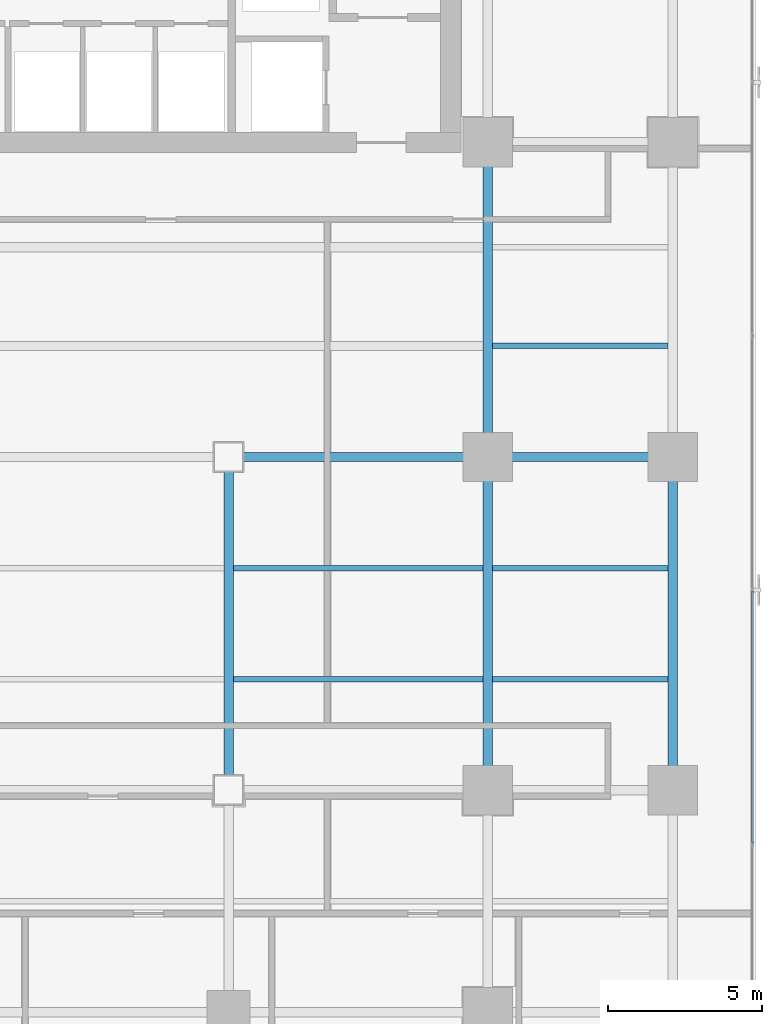
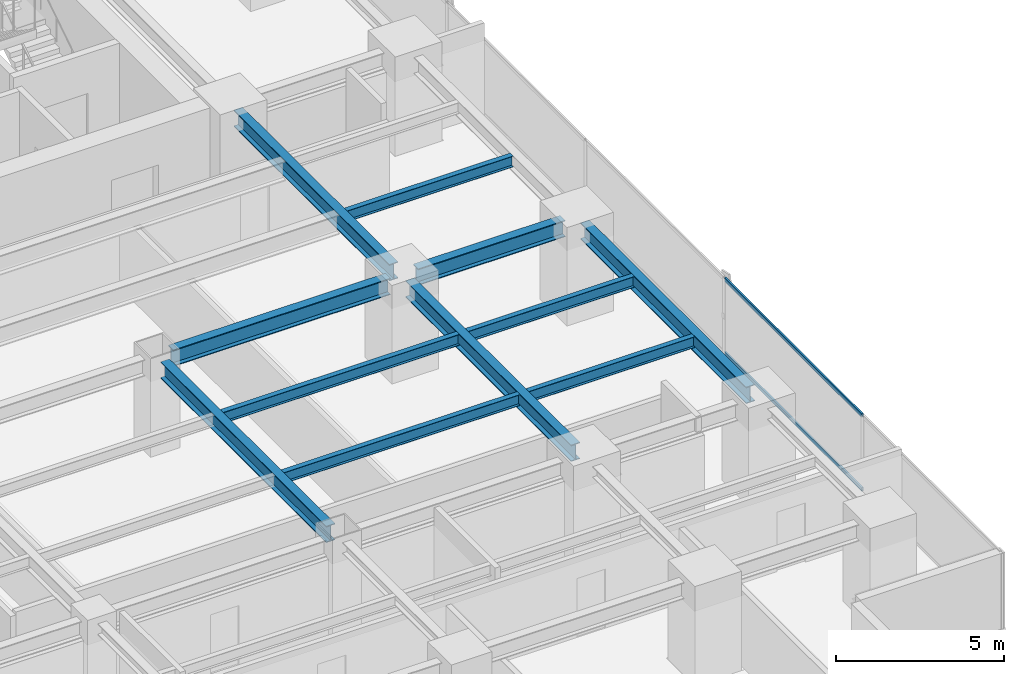
# One storey, part 15 of 37: 11 beams, 2 members, 1 element without a shape of its own.
"""IFC4 building model written with IfcOpenShell, lengths in metres."""

from ifc_helpers import new_model, si_unit, direction, frame, origin, origin_2d, place, context, subcontext, project, spatial, hollow_rectangle, i_section, extrude, source, transform, mapped, material, layer, layer_set, material_profile, profile_set, type_object, element, aggregate, save


model = new_model("IFC4")

# Units and contexts
model_context = context("Model", 3, precision=1e-05, world=origin(), true_north=direction((0.0, 1.0)))
body_context = subcontext(model_context, "Body", "Model", "MODEL_VIEW")
ifc_project = project(units=[si_unit("LENGTHUNIT", "METRE"), si_unit("AREAUNIT", "SQUARE_METRE"), si_unit("VOLUMEUNIT", "CUBIC_METRE"), si_unit("PLANEANGLEUNIT", "RADIAN"), si_unit("MASSUNIT", "GRAM", prefix="KILO")], contexts=[model_context])

# Site, building, storey
site_placement = place(None, origin())
site = spatial("IfcSite", under=ifc_project, at=site_placement, CompositionType="ELEMENT")
building_placement = place(site_placement, origin())
building = spatial("IfcBuilding", under=site, at=building_placement, Name="Sumidabori Civic Tower", CompositionType="ELEMENT")
storey_placement = place(building_placement, frame((0.0, 0.0, 117.199951171875)))
storey = spatial("IfcBuildingStorey", under=building, at=storey_placement, Name="L30", CompositionType="ELEMENT", Elevation=117.199951171875)

# Beams
ifc_material_1 = material(Name="Steel SN490", Category="steel")
ifc_material_profile_1 = material_profile(ifc_material_1, i_section(OverallWidth=0.300048828125, OverallDepth=0.60009765625, WebThickness=0.015380859375, FlangeThickness=0.030029296875, at=origin_2d()), Name="HE 600 B")
ifc_profile_set_1 = profile_set([ifc_material_profile_1], Name="Steel SN490")
beam_type_1 = type_object("IfcBeamType", Name="BM-GIRD-600", PredefinedType="BEAM", material=ifc_profile_set_1)
shared_shape_1 = source(origin(), body_context, "Body", "SweptSolid", [
    extrude(i_section(OverallWidth=0.300048828125, OverallDepth=0.60009765625, WebThickness=0.015380859375, FlangeThickness=0.030029296875, at=origin_2d()), origin(), (0.0, 0.0, 1.0), 5.0400390625),
])
beam_1_placement = place(storey_placement, frame((17.280029296875, 0.0, 3.06005859375), z_axis=(1.0, 0.0, 0.0), x_axis=(0.0, 1.0, 0.0)))
element("IfcBeam", 1, at=beam_1_placement, inside=storey, type_object=beam_type_1, Name="Primary Girder L30 GX-18", PredefinedType="BEAM", context=body_context, shape_type="MappedRepresentation", body=[
    mapped(shared_shape_1, transform((0.0, 0.0, 0.0), x_axis=(1.0, 0.0, 0.0), y_axis=(0.0, 1.0, 0.0), z_axis=(0.0, 0.0, 1.0), scale=1.0)),
])
shared_shape_2 = source(origin(), body_context, "Body", "SweptSolid", [
    extrude(i_section(OverallWidth=0.300048828125, OverallDepth=0.60009765625, WebThickness=0.015380859375, FlangeThickness=0.030029296875, at=origin_2d()), origin(), (0.0, 0.0, 1.0), 7.440185546875),
])
beam_2_placement = place(storey_placement, frame((8.8798828125, 0.0, 3.06005859375), z_axis=(1.0, 0.0, 0.0), x_axis=(0.0, 1.0, 0.0)))
element("IfcBeam", 2, at=beam_2_placement, inside=storey, type_object=beam_type_1, Name="Primary Girder L30 GX-17", PredefinedType="BEAM", context=body_context, shape_type="MappedRepresentation", body=[
    mapped(shared_shape_2, transform((0.0, 0.0, 0.0), x_axis=(1.0, 0.0, 0.0), y_axis=(0.0, 1.0, 0.0), z_axis=(0.0, 0.0, 1.0), scale=1.0)),
])
shared_shape_3 = source(origin(), body_context, "Body", "SweptSolid", [
    extrude(i_section(OverallWidth=0.300048828125, OverallDepth=0.60009765625, WebThickness=0.015380859375, FlangeThickness=0.030029296875, at=origin_2d()), origin(), (0.0, 0.0, 1.0), 9.840087890625),
])
for number, where, z_axis, x_axis, name in (
    (3, (8.39990234375, -10.320068359375, 3.06005859375), (0.0, 1.0, 0.0), (-1.0, 0.0, 0.0), "Primary Girder L30 GY-34"),
    (4, (16.800048828125, -10.320068359375, 3.06005859375), (0.0, 1.0, 0.0), (-1.0, 0.0, 0.0), "Primary Girder L30 GY-36"),
    (5, (22.800048828125, -10.320068359375, 3.06005859375), (0.0, 1.0, 0.0), (-1.0, 0.0, 0.0), "Primary Girder L30 GY-40"),
):
    element("IfcBeam", number, at=place(storey_placement, frame(where, z_axis=z_axis, x_axis=x_axis)), inside=storey, type_object=beam_type_1, Name=name, PredefinedType="BEAM", context=body_context, shape_type="MappedRepresentation", body=[
        mapped(shared_shape_3, transform((0.0, 0.0, 0.0), x_axis=(1.0, 0.0, 0.0), y_axis=(0.0, 1.0, 0.0), z_axis=(0.0, 0.0, 1.0), scale=1.0)),
    ])
shared_shape_4 = source(origin(), body_context, "Body", "SweptSolid", [
    extrude(i_section(OverallWidth=0.300048828125, OverallDepth=0.60009765625, WebThickness=0.015380859375, FlangeThickness=0.030029296875, at=origin_2d()), origin(), (0.0, 0.0, 1.0), 9.239990234375),
])
beam_3_placement = place(storey_placement, frame((16.800048828125, 0.47998046875, 3.06005859375), z_axis=(0.0, 1.0, 0.0), x_axis=(-1.0, 0.0, 0.0)))
element("IfcBeam", 6, at=beam_3_placement, inside=storey, type_object=beam_type_1, Name="Primary Girder L30 GY-37", PredefinedType="BEAM", context=body_context, shape_type="MappedRepresentation", body=[
    mapped(shared_shape_4, transform((0.0, 0.0, 0.0), x_axis=(1.0, 0.0, 0.0), y_axis=(0.0, 1.0, 0.0), z_axis=(0.0, 0.0, 1.0), scale=1.0)),
])
ifc_material_profile_2 = material_profile(ifc_material_1, i_section(OverallWidth=0.179931640625, OverallDepth=0.39990234375, WebThickness=0.008544921875, FlangeThickness=0.013427734375, at=origin_2d()), Name="IPE 400")
ifc_profile_set_2 = profile_set([ifc_material_profile_2], Name="Steel SN490")
beam_type_2 = type_object("IfcBeamType", Name="BM-JST-400", PredefinedType="JOIST", material=ifc_profile_set_2)
shared_shape_5 = source(origin(), body_context, "Body", "SweptSolid", [
    extrude(i_section(OverallWidth=0.179931640625, OverallDepth=0.39990234375, WebThickness=0.008544921875, FlangeThickness=0.013427734375, at=origin_2d()), origin(), (0.0, 0.0, 1.0), 5.699951171875),
])
for number, where, z_axis, x_axis, name in (
    (7, (16.949951171875, -7.199951171875, 3.16015625), (1.0, 0.0, 0.0), (0.0, 1.0, 0.0), "Outer Bay Floor Joist L30 JSTO-44"),
    (8, (16.949951171875, -3.60009765625, 3.16015625), (1.0, 0.0, 0.0), (0.0, 1.0, 0.0), "Outer Bay Floor Joist L30 JSTO-46"),
    (9, (16.949951171875, 3.60009765625, 3.16015625), (1.0, 0.0, 0.0), (0.0, 1.0, 0.0), "Outer Bay Floor Joist L30 JSTO-48"),
):
    element("IfcBeam", number, at=place(storey_placement, frame(where, z_axis=z_axis, x_axis=x_axis)), inside=storey, type_object=beam_type_2, Name=name, PredefinedType="JOIST", context=body_context, shape_type="MappedRepresentation", body=[
        mapped(shared_shape_5, transform((0.0, 0.0, 0.0), x_axis=(1.0, 0.0, 0.0), y_axis=(0.0, 1.0, 0.0), z_axis=(0.0, 0.0, 1.0), scale=1.0)),
    ])
shared_shape_6 = source(origin(), body_context, "Body", "SweptSolid", [
    extrude(i_section(OverallWidth=0.179931640625, OverallDepth=0.39990234375, WebThickness=0.008544921875, FlangeThickness=0.013427734375, at=origin_2d()), origin(), (0.0, 0.0, 1.0), 8.099853515625),
])
for number, where, z_axis, x_axis, name in (
    (10, (8.550048828125, -7.199951171875, 3.16015625), (1.0, 0.0, 0.0), (0.0, 1.0, 0.0), "South Bay Floor Joist L30 JSTS-62"),
    (11, (8.550048828125, -3.60009765625, 3.16015625), (1.0, 0.0, 0.0), (0.0, 1.0, 0.0), "South Bay Floor Joist L30 JSTS-66"),
):
    element("IfcBeam", number, at=place(storey_placement, frame(where, z_axis=z_axis, x_axis=x_axis)), inside=storey, type_object=beam_type_2, Name=name, PredefinedType="JOIST", context=body_context, shape_type="MappedRepresentation", body=[
        mapped(shared_shape_6, transform((0.0, 0.0, 0.0), x_axis=(1.0, 0.0, 0.0), y_axis=(0.0, 1.0, 0.0), z_axis=(0.0, 0.0, 1.0), scale=1.0)),
    ])

# Curtain wall, members
ifc_material_2 = material(Name="Anodised Bronze Aluminium AW-6063-T6", Category="aluminium")
ifc_layer = layer(ifc_material_2, 0.179931640625, Name="Anodised Bronze Aluminium AW-6063-T6")
ifc_layer_set = layer_set([ifc_layer], Name="Anodised Bronze Aluminium AW-6063-T6")
curtain_wall_type = type_object("IfcCurtainWallType", Name="CW-SYS-3", PredefinedType="NOTDEFINED", material=ifc_layer_set)
curtain_wall_placement = place(storey_placement, origin())
curtain_wall = element("IfcCurtainWall", 12, at=curtain_wall_placement, inside=storey, type_object=curtain_wall_type, Name="Curtain Wall CW:L30:R04", PredefinedType="NOTDEFINED")
ifc_material_profile_3 = material_profile(ifc_material_2, hollow_rectangle(XDim=0.06005859375, YDim=0.1298828125, WallThickness=0.0048828125, at=origin_2d()), Name="ALU TRANSOM 130x60")
ifc_profile_set_3 = profile_set([ifc_material_profile_3], Name="Anodised Bronze Aluminium AW-6063-T6")
member_type = type_object("IfcMemberType", Name="CW-TRN-130", PredefinedType="USERDEFINED", material=ifc_profile_set_3)
shared_shape_7 = source(origin(), body_context, "Body", "SweptSolid", [
    extrude(hollow_rectangle(XDim=0.06005859375, YDim=0.1298828125, WallThickness=0.0048828125, at=origin_2d()), origin(), (0.0, 0.0, 1.0), 8.1630859375),
])
member_1_placement = place(storey_placement, frame((25.3798828125, -12.509521484375, 0.030029296875), z_axis=(0.0, 1.0, 0.0), x_axis=(-1.0, 0.0, 0.0)))
member_1 = element("IfcMember", 13, at=member_1_placement, type_object=member_type, Name="CW-3 transom 2.1", ObjectType="TRANSOM", PredefinedType="USERDEFINED", context=body_context, shape_type="MappedRepresentation", body=[
    mapped(shared_shape_7, transform((0.0, 0.0, 0.0), x_axis=(1.0, 0.0, 0.0), y_axis=(0.0, 1.0, 0.0), z_axis=(0.0, 0.0, 1.0), scale=1.0)),
])
member_2_placement = place(storey_placement, frame((25.3798828125, -12.509521484375, 2.7099609375), z_axis=(0.0, 1.0, 0.0), x_axis=(-1.0, 0.0, 0.0)))
member_2 = element("IfcMember", 14, at=member_2_placement, type_object=member_type, Name="CW-3 transom 2.2", ObjectType="TRANSOM", PredefinedType="USERDEFINED", context=body_context, shape_type="MappedRepresentation", body=[
    mapped(shared_shape_7, transform((0.0, 0.0, 0.0), x_axis=(1.0, 0.0, 0.0), y_axis=(0.0, 1.0, 0.0), z_axis=(0.0, 0.0, 1.0), scale=1.0)),
])
aggregate(curtain_wall, [member_1, member_2])

save(model, "model.ifc")
